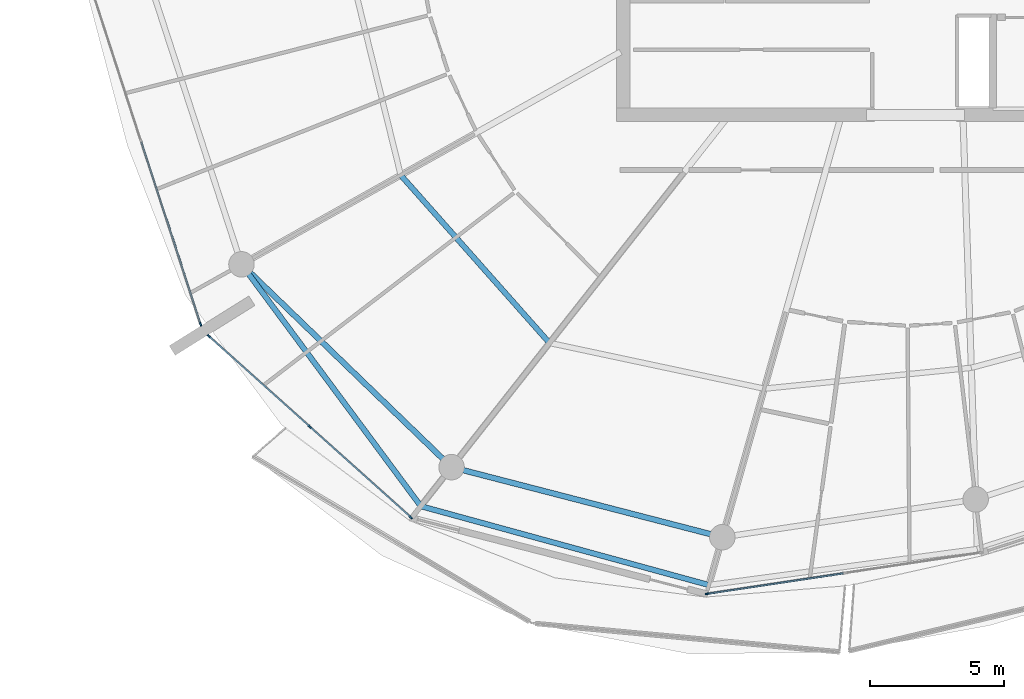
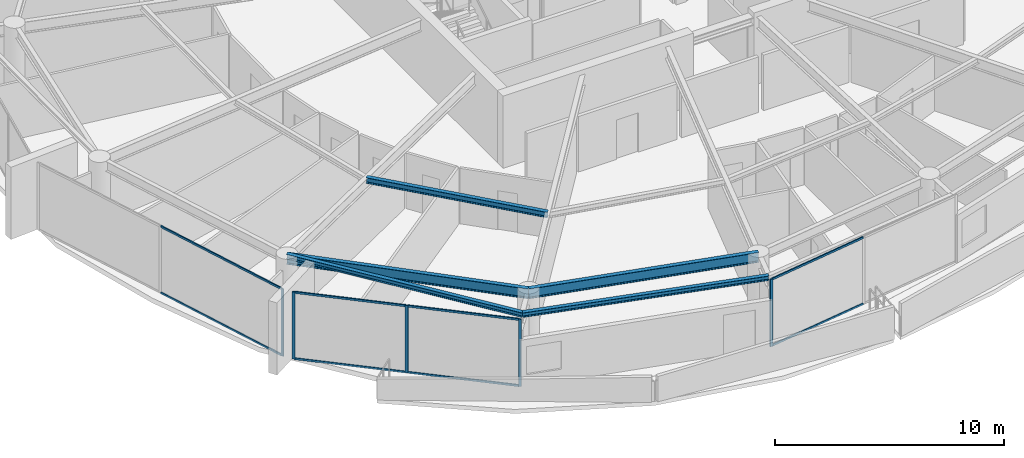
# One storey, part 6 of 30: 13 members, 5 beams, 3 elements without a shape of their own.
"""IFC4 building model written with IfcOpenShell, lengths in metres."""

from ifc_helpers import new_model, si_unit, direction, frame, origin, origin_2d, place, context, subcontext, project, spatial, rectangle, i_section, extrude, material, layer, layer_set, material_profile, profile_set, type_object, element, aggregate, save


model = new_model("IFC4")

# Units and contexts
model_context = context("Model", 3, precision=1e-05, world=origin(), true_north=direction((0.0, 1.0)))
body_context = subcontext(model_context, "Body", "Model", "MODEL_VIEW")
ifc_project = project(units=[si_unit("LENGTHUNIT", "METRE"), si_unit("AREAUNIT", "SQUARE_METRE"), si_unit("VOLUMEUNIT", "CUBIC_METRE"), si_unit("PLANEANGLEUNIT", "RADIAN"), si_unit("MASSUNIT", "GRAM", prefix="KILO")], contexts=[model_context])

# Site, building, storey
site_placement = place(None, origin())
site = spatial("IfcSite", under=ifc_project, at=site_placement, CompositionType="ELEMENT")
building_placement = place(site_placement, origin())
building = spatial("IfcBuilding", under=site, at=building_placement, Name="Kazma Halo Residences", CompositionType="ELEMENT")
storey_placement = place(building_placement, frame((0.0, 0.0, 294.449951171875)))
storey = spatial("IfcBuildingStorey", under=building, at=storey_placement, Name="L74", CompositionType="ELEMENT", Elevation=294.449951171875)

# Beams
ifc_material_1 = material(Name="Steel S355", Category="steel")
ifc_material_profile_1 = material_profile(ifc_material_1, i_section(OverallWidth=0.201904296875, OverallDepth=0.2470703125, WebThickness=0.00732421875, FlangeThickness=0.010986328125, FilletRadius=0.011962890625, at=origin_2d()), Name="W250x49.1")
ifc_profile_set_1 = profile_set([ifc_material_profile_1], Name="Steel S355")
beam_type_1 = type_object("IfcBeamType", Name="BM-BAL-CANT", PredefinedType="BEAM", material=ifc_profile_set_1)
beam_1_placement = place(storey_placement, frame((23.32958984375, 28.18408203125, 3.466552734375), z_axis=(0.595556062515, -0.803313747176, 0.0), x_axis=(0.803313747176, 0.595556062515, 0.0)))
element("IfcBeam", 1, at=beam_1_placement, inside=storey, type_object=beam_type_1, Name="L74 wave-balcony lead tie beam 09", PredefinedType="BEAM", context=body_context, shape_type="SweptSolid", body=[
    extrude(i_section(OverallWidth=0.201904296875, OverallDepth=0.2470703125, WebThickness=0.00732421875, FlangeThickness=0.010986328125, FilletRadius=0.011962890625, at=origin_2d()), origin(), (0.0, 0.0, 1.0), 11.213134765625),
])
beam_2_placement = place(storey_placement, frame((30.007568359375, 19.176513671875, 3.466552734375), z_axis=(0.964514665976, -0.264029277006, 0.0), x_axis=(0.264029277006, 0.964514665976, 0.0)))
element("IfcBeam", 2, at=beam_2_placement, inside=storey, type_object=beam_type_1, Name="L74 wave-balcony tie beam 10", PredefinedType="BEAM", context=body_context, shape_type="SweptSolid", body=[
    extrude(i_section(OverallWidth=0.201904296875, OverallDepth=0.2470703125, WebThickness=0.00732421875, FlangeThickness=0.010986328125, FilletRadius=0.011962890625, at=origin_2d()), origin(), (0.0, 0.0, 1.0), 11.1220703125),
])
ifc_material_profile_2 = material_profile(ifc_material_1, i_section(OverallWidth=0.202880859375, OverallDepth=0.302978515625, WebThickness=0.007568359375, FlangeThickness=0.01318359375, FilletRadius=0.013916015625, at=origin_2d()), Name="W310x60")
ifc_profile_set_2 = profile_set([ifc_material_profile_2], Name="Steel S355")
beam_type_2 = type_object("IfcBeamType", Name="BM-SEC-W310A", PredefinedType="JOIST", material=ifc_profile_set_2)
beam_3_placement = place(storey_placement, frame((29.26025390625, 31.505126953125, 3.4384765625), z_axis=(0.663307142238, -0.748347269024, 0.0), x_axis=(0.748347269024, 0.663307142238, 0.0)))
element("IfcBeam", 3, at=beam_3_placement, inside=storey, type_object=beam_type_2, Name="L74 circumferential floor joist 09", PredefinedType="JOIST", context=body_context, shape_type="SweptSolid", body=[
    extrude(i_section(OverallWidth=0.202880859375, OverallDepth=0.302978515625, WebThickness=0.007568359375, FlangeThickness=0.01318359375, FilletRadius=0.013916015625, at=origin_2d()), origin(), (0.0, 0.0, 1.0), 8.351318359375),
])
ifc_material_profile_3 = material_profile(ifc_material_1, i_section(OverallWidth=0.208984375, OverallDepth=0.532958984375, WebThickness=0.01025390625, FlangeThickness=0.015625, FilletRadius=0.01611328125, at=origin_2d()), Name="W530x92")
ifc_profile_set_3 = profile_set([ifc_material_profile_3], Name="Steel S355")
beam_type_3 = type_object("IfcBeamType", Name="BM-SPN-W530", PredefinedType="BEAM", material=ifc_profile_set_3)
beam_4_placement = place(storey_placement, frame((23.32958984375, 28.18408203125, 3.323486328125), z_axis=(0.719345757929, -0.694652201141, 0.0), x_axis=(0.694652201141, 0.719345757929, 0.0)))
element("IfcBeam", 4, at=beam_4_placement, inside=storey, type_object=beam_type_3, Name="L74 perimeter ring beam 09", PredefinedType="BEAM", context=body_context, shape_type="SweptSolid", body=[
    extrude(i_section(OverallWidth=0.208984375, OverallDepth=0.532958984375, WebThickness=0.01025390625, FlangeThickness=0.015625, FilletRadius=0.01611328125, at=origin_2d()), origin(), (0.0, 0.0, 1.0), 10.87548828125),
])
beam_5_placement = place(storey_placement, frame((31.15283203125, 20.62939453125, 3.323486328125), z_axis=(0.968126042852, -0.250463500639, 0.0), x_axis=(0.250463500639, 0.968126042852, 0.0)))
element("IfcBeam", 5, at=beam_5_placement, inside=storey, type_object=beam_type_3, Name="L74 perimeter ring beam 10", PredefinedType="BEAM", context=body_context, shape_type="SweptSolid", body=[
    extrude(i_section(OverallWidth=0.208984375, OverallDepth=0.532958984375, WebThickness=0.01025390625, FlangeThickness=0.015625, FilletRadius=0.01611328125, at=origin_2d()), origin(), (0.0, 0.0, 1.0), 10.416259765625),
])

# Curtain wall, member
ifc_material_2 = material(Name="Aluminium AW-6063 T6 and Triple-Silver Low-E Glass", Category="aluminium")
ifc_layer = layer(ifc_material_2, 0.139892578125)
ifc_layer_set = layer_set([ifc_layer], Name="Aluminium AW-6063 T6 and Triple-Silver Low-E Glass")
curtain_wall_type = type_object("IfcCurtainWallType", Name="CW-SYS-5", PredefinedType="NOTDEFINED", material=ifc_layer_set)
curtain_wall_1_placement = place(storey_placement, origin())
curtain_wall_1 = element("IfcCurtainWall", 6, at=curtain_wall_1_placement, inside=storey, type_object=curtain_wall_type, Name="L74 unitised curtain wall B08", PredefinedType="NOTDEFINED")
ifc_material_3 = material(Name="Aluminium AW-6063 T6", Category="aluminium")
ifc_material_profile_4 = material_profile(ifc_material_3, rectangle(XDim=0.06005859375, YDim=0.139892578125, at=origin_2d()), Name="CWM-60x140")
ifc_profile_set_4 = profile_set([ifc_material_profile_4], Name="Aluminium AW-6063 T6")
member_type_1 = type_object("IfcMemberType", Name="CW-SYS-5-MUL", PredefinedType="MULLION", material=ifc_profile_set_4)
member_1_placement = place(storey_placement, frame((21.8076171875, 25.9521484375, 0.0), z_axis=(0.0, 0.0, 1.0), x_axis=(0.951058464359, 0.309010998786, 0.0)))
member_1 = element("IfcMember", 7, at=member_1_placement, type_object=member_type_1, Name="CWS-5 mullion 3", PredefinedType="MULLION", context=body_context, shape_type="SweptSolid", body=[
    extrude(rectangle(XDim=0.06005859375, YDim=0.139892578125, at=origin_2d()), origin(), (0.0, 0.0, 1.0), 3.590087890625),
])

# Curtain wall, members
curtain_wall_2_placement = place(storey_placement, origin())
curtain_wall_2 = element("IfcCurtainWall", 8, at=curtain_wall_2_placement, inside=storey, type_object=curtain_wall_type, Name="L74 unitised curtain wall B09", PredefinedType="NOTDEFINED")
member_2_placement = place(storey_placement, frame((22.11669921875, 25.508056640625, 0.0), z_axis=(0.0, 0.0, 1.0), x_axis=(0.667804826958, 0.744336424671, 0.0)))
member_2 = element("IfcMember", 9, at=member_2_placement, type_object=member_type_1, Name="CWS-5 mullion 1", PredefinedType="MULLION", context=body_context, shape_type="SweptSolid", body=[
    extrude(rectangle(XDim=0.06005859375, YDim=0.139892578125, at=origin_2d()), origin(), (0.0, 0.0, 1.0), 3.590087890625),
])
member_3_placement = place(storey_placement, frame((25.878173828125, 22.13330078125, 0.0), z_axis=(0.0, 0.0, 1.0), x_axis=(0.667804826958, 0.744336424671, 0.0)))
member_3 = element("IfcMember", 10, at=member_3_placement, type_object=member_type_1, Name="CWS-5 mullion 2", PredefinedType="MULLION", context=body_context, shape_type="SweptSolid", body=[
    extrude(rectangle(XDim=0.06005859375, YDim=0.139892578125, at=origin_2d()), origin(), (0.0, 0.0, 1.0), 3.590087890625),
])
member_4_placement = place(storey_placement, frame((29.6396484375, 18.758544921875, 0.0), z_axis=(0.0, 0.0, 1.0), x_axis=(0.667804826958, 0.744336424671, 0.0)))
member_4 = element("IfcMember", 11, at=member_4_placement, type_object=member_type_1, Name="CWS-5 mullion 3", PredefinedType="MULLION", context=body_context, shape_type="SweptSolid", body=[
    extrude(rectangle(XDim=0.06005859375, YDim=0.139892578125, at=origin_2d()), origin(), (0.0, 0.0, 1.0), 3.590087890625),
])

# Curtain wall, member
curtain_wall_3_placement = place(storey_placement, origin())
curtain_wall_3 = element("IfcCurtainWall", 12, at=curtain_wall_3_placement, inside=storey, type_object=curtain_wall_type, Name="L74 unitised curtain wall B11", PredefinedType="NOTDEFINED")
member_5_placement = place(storey_placement, frame((40.671142578125, 15.912841796875, 0.0), z_axis=(0.0, 0.0, 1.0), x_axis=(-0.148697080374, 0.988882792998, 0.0)))
member_5 = element("IfcMember", 13, at=member_5_placement, type_object=member_type_1, Name="CWS-5 mullion 1", PredefinedType="MULLION", context=body_context, shape_type="SweptSolid", body=[
    extrude(rectangle(XDim=0.06005859375, YDim=0.139892578125, at=origin_2d()), origin(), (0.0, 0.0, 1.0), 3.590087890625),
])

# Member
ifc_material_profile_5 = material_profile(ifc_material_3, rectangle(XDim=0.06005859375, YDim=0.10498046875, at=origin_2d()), Name="CWT-60x105")
ifc_profile_set_5 = profile_set([ifc_material_profile_5], Name="Aluminium AW-6063 T6")
member_type_2 = type_object("IfcMemberType", Name="CW-SYS-5-TRN", PredefinedType="USERDEFINED", material=ifc_profile_set_5)
member_6_placement = place(storey_placement, frame((19.6015625, 32.7412109375, 0.030029296875), z_axis=(0.309027052142, -0.95105324827, 0.0), x_axis=(0.95105324827, 0.309027052142, 0.0)))
member_6 = element("IfcMember", 14, at=member_6_placement, type_object=member_type_2, Name="CWS-5 transom 2.1", ObjectType="TRANSOM", PredefinedType="USERDEFINED", context=body_context, shape_type="SweptSolid", body=[
    extrude(rectangle(XDim=0.06005859375, YDim=0.10498046875, at=origin_2d()), origin(), (0.0, 0.0, 1.0), 7.108642578125),
])

member_7_placement = place(storey_placement, frame((19.6015625, 32.7412109375, 3.56005859375), z_axis=(0.309027052142, -0.95105324827, 0.0), x_axis=(0.95105324827, 0.309027052142, 0.0)))
member_7 = element("IfcMember", 15, at=member_7_placement, type_object=member_type_2, Name="CWS-5 transom 2.2", ObjectType="TRANSOM", PredefinedType="USERDEFINED", context=body_context, shape_type="SweptSolid", body=[
    extrude(rectangle(XDim=0.06005859375, YDim=0.10498046875, at=origin_2d()), origin(), (0.0, 0.0, 1.0), 7.108642578125),
])

aggregate(curtain_wall_1, [member_1, member_6, member_7])

member_8_placement = place(storey_placement, frame((22.138916015625, 25.488037109375, 0.030029296875), z_axis=(0.744328897483, -0.667813216679, 0.0), x_axis=(0.667813216679, 0.744328897483, 0.0)))
member_8 = element("IfcMember", 16, at=member_8_placement, type_object=member_type_2, Name="CWS-5 transom 1.1", ObjectType="TRANSOM", PredefinedType="USERDEFINED", context=body_context, shape_type="SweptSolid", body=[
    extrude(rectangle(XDim=0.06005859375, YDim=0.10498046875, at=origin_2d()), origin(), (0.0, 0.0, 1.0), 4.993408203125),
])

member_9_placement = place(storey_placement, frame((22.138916015625, 25.488037109375, 3.56005859375), z_axis=(0.744328897483, -0.667813216679, 0.0), x_axis=(0.667813216679, 0.744328897483, 0.0)))
member_9 = element("IfcMember", 17, at=member_9_placement, type_object=member_type_2, Name="CWS-5 transom 1.2", ObjectType="TRANSOM", PredefinedType="USERDEFINED", context=body_context, shape_type="SweptSolid", body=[
    extrude(rectangle(XDim=0.06005859375, YDim=0.10498046875, at=origin_2d()), origin(), (0.0, 0.0, 1.0), 4.993408203125),
])

member_10_placement = place(storey_placement, frame((25.900390625, 22.11328125, 0.030029296875), z_axis=(0.744350700793, -0.667788914425, 0.0), x_axis=(0.667788914425, 0.744350700793, 0.0)))
member_10 = element("IfcMember", 18, at=member_10_placement, type_object=member_type_2, Name="CWS-5 transom 2.1", ObjectType="TRANSOM", PredefinedType="USERDEFINED", context=body_context, shape_type="SweptSolid", body=[
    extrude(rectangle(XDim=0.06005859375, YDim=0.10498046875, at=origin_2d()), origin(), (0.0, 0.0, 1.0), 4.99365234375),
])

member_11_placement = place(storey_placement, frame((25.900390625, 22.11328125, 3.56005859375), z_axis=(0.744350700793, -0.667788914425, 0.0), x_axis=(0.667788914425, 0.744350700793, 0.0)))
member_11 = element("IfcMember", 19, at=member_11_placement, type_object=member_type_2, Name="CWS-5 transom 2.2", ObjectType="TRANSOM", PredefinedType="USERDEFINED", context=body_context, shape_type="SweptSolid", body=[
    extrude(rectangle(XDim=0.06005859375, YDim=0.10498046875, at=origin_2d()), origin(), (0.0, 0.0, 1.0), 4.99365234375),
])

aggregate(curtain_wall_2, [member_2, member_3, member_4, member_8, member_9, member_10, member_11])

member_12_placement = place(storey_placement, frame((40.70068359375, 15.917236328125, 0.030029296875), z_axis=(0.988883972013, 0.148689239341, 0.0), x_axis=(-0.148689239341, 0.988883972013, 0.0)))
member_12 = element("IfcMember", 20, at=member_12_placement, type_object=member_type_2, Name="CWS-5 transom 1.1", ObjectType="TRANSOM", PredefinedType="USERDEFINED", context=body_context, shape_type="SweptSolid", body=[
    extrude(rectangle(XDim=0.06005859375, YDim=0.10498046875, at=origin_2d()), origin(), (0.0, 0.0, 1.0), 5.099853515625),
])

member_13_placement = place(storey_placement, frame((40.70068359375, 15.917236328125, 3.56005859375), z_axis=(0.988883972013, 0.148689239341, 0.0), x_axis=(-0.148689239341, 0.988883972013, 0.0)))
member_13 = element("IfcMember", 21, at=member_13_placement, type_object=member_type_2, Name="CWS-5 transom 1.2", ObjectType="TRANSOM", PredefinedType="USERDEFINED", context=body_context, shape_type="SweptSolid", body=[
    extrude(rectangle(XDim=0.06005859375, YDim=0.10498046875, at=origin_2d()), origin(), (0.0, 0.0, 1.0), 5.099853515625),
])

aggregate(curtain_wall_3, [member_5, member_12, member_13])

save(model, "model.ifc")
